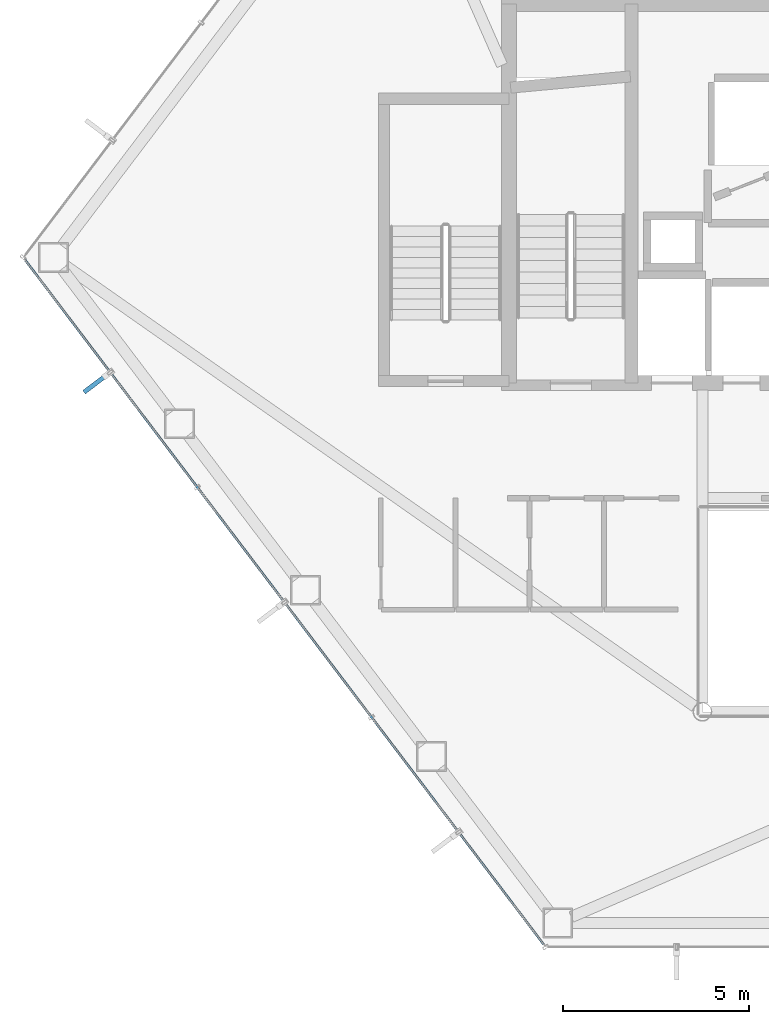
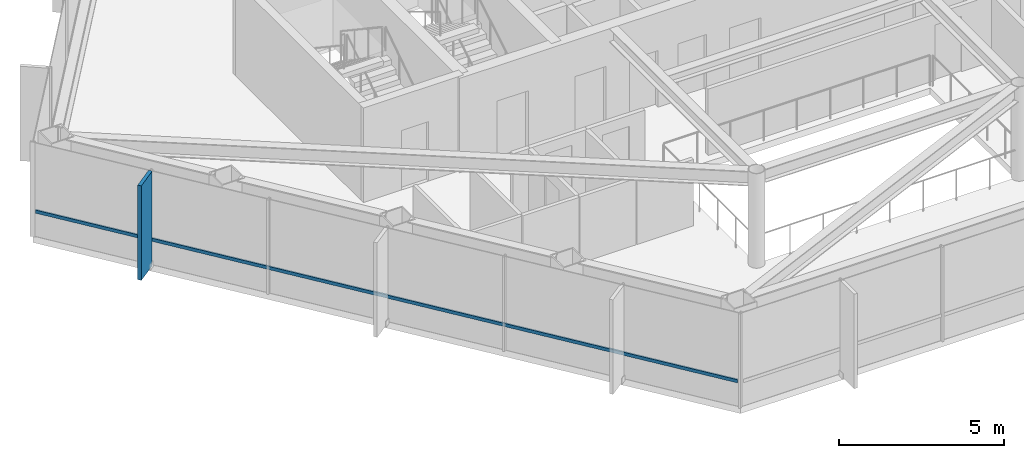
# One storey, part 3 of 28: 2 members, 1 element without a shape of its own.
"""IFC4 building model written with IfcOpenShell, lengths in metres."""

from ifc_helpers import new_model, si_unit, direction, frame, origin, origin_2d, place, context, subcontext, project, spatial, rectangle, hollow_rectangle, extrude, material, layer, layer_set, material_profile, profile_set, type_object, element, aggregate, save


model = new_model("IFC4")

# Units and contexts
model_context = context("Model", 3, precision=1e-05, world=origin(), true_north=direction((0.0, 1.0)))
body_context = subcontext(model_context, "Body", "Model", "MODEL_VIEW")
ifc_project = project(units=[si_unit("LENGTHUNIT", "METRE"), si_unit("AREAUNIT", "SQUARE_METRE"), si_unit("VOLUMEUNIT", "CUBIC_METRE"), si_unit("PLANEANGLEUNIT", "RADIAN"), si_unit("MASSUNIT", "GRAM", prefix="KILO")], contexts=[model_context])

# Site, building, storey
site_placement = place(None, origin())
site = spatial("IfcSite", under=ifc_project, at=site_placement, CompositionType="ELEMENT")
building_placement = place(site_placement, origin())
building = spatial("IfcBuilding", under=site, at=building_placement, Name="Zarrinselat Tower", CompositionType="ELEMENT")
storey_placement = place(building_placement, frame((0.0, 0.0, 127.159912109375)))
storey = spatial("IfcBuildingStorey", under=building, at=storey_placement, Name="L30", CompositionType="ELEMENT", Elevation=127.159912109375)

# Curtain wall, members
ifc_material_1 = material(Name="Extruded Aluminium Alloy EN AW-6063 T6", Category="aluminium")
ifc_layer = layer(ifc_material_1, 0.175048828125)
ifc_layer_set = layer_set([ifc_layer], Name="Extruded Aluminium Alloy EN AW-6063 T6")
curtain_wall_type = type_object("IfcCurtainWallType", Name="CWS-HTL", PredefinedType="NOTDEFINED", material=ifc_layer_set)
curtain_wall_placement = place(storey_placement, origin())
curtain_wall = element("IfcCurtainWall", 1, at=curtain_wall_placement, inside=storey, type_object=curtain_wall_type, Name="L30 Unitised Curtain Wall CW-L30-E03", PredefinedType="NOTDEFINED")
ifc_material_2 = material(Name="Extruded Aluminium Alloy EN AW-6063 T6", Category="aluminium")
ifc_material_profile_1 = material_profile(ifc_material_2, hollow_rectangle(XDim=0.06005859375, YDim=0.1201171875, WallThickness=0.00390625, at=origin_2d()), Name="RHS 120x60x4")
ifc_profile_set_1 = profile_set([ifc_material_profile_1], Name="Extruded Aluminium Alloy EN AW-6063 T6")
member_type_1 = type_object("IfcMemberType", Name="MEM-CW-TRN2", PredefinedType="USERDEFINED", material=ifc_profile_set_1)
member_1_placement = place(storey_placement, frame((15.57373046875, 36.55712890625, 0.9501953125), z_axis=(0.60386236649, -0.797088603818, 0.0), x_axis=(0.797088603818, 0.60386236649, 0.0)))
member_1 = element("IfcMember", 2, at=member_1_placement, type_object=member_type_1, Name="CW-L30-E03 Transom 1", ObjectType="TRANSOM", PredefinedType="USERDEFINED", context=body_context, shape_type="SweptSolid", body=[
    extrude(hollow_rectangle(XDim=0.06005859375, YDim=0.1201171875, WallThickness=0.00390625, at=origin_2d()), origin(), (0.0, 0.0, 1.0), 23.108154296875),
])
ifc_material_3 = material(Name="Honed Cream Travertine Stone", Category="masonry")
ifc_material_profile_2 = material_profile(ifc_material_3, rectangle(XDim=0.1201171875, YDim=0.85009765625, at=origin_2d()), Name="FIN 850x120")
ifc_profile_set_2 = profile_set([ifc_material_profile_2], Name="Honed Cream Travertine Stone")
member_type_2 = type_object("IfcMemberType", Name="MEM-STONE-FIN", PredefinedType="USERDEFINED", material=ifc_profile_set_2)
member_2_placement = place(storey_placement, frame((17.49658203125, 33.25732421875, 0.0), z_axis=(0.0, 0.0, 1.0), x_axis=(-0.603858349394, 0.797091647094, 0.0)))
member_2 = element("IfcMember", 3, at=member_2_placement, type_object=member_type_2, Name="L30 Stone Shading Fin CW-L30-E03-01", ObjectType="FIN", PredefinedType="USERDEFINED", context=body_context, shape_type="SweptSolid", body=[
    extrude(rectangle(XDim=0.1201171875, YDim=0.85009765625, at=origin_2d()), origin(), (0.0, 0.0, 1.0), 3.5),
])
aggregate(curtain_wall, [member_2, member_1])

save(model, "model.ifc")
